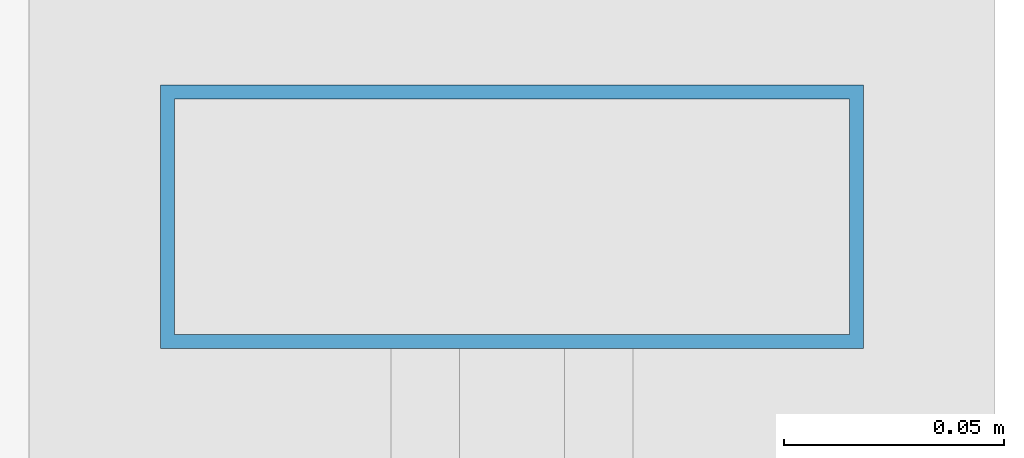
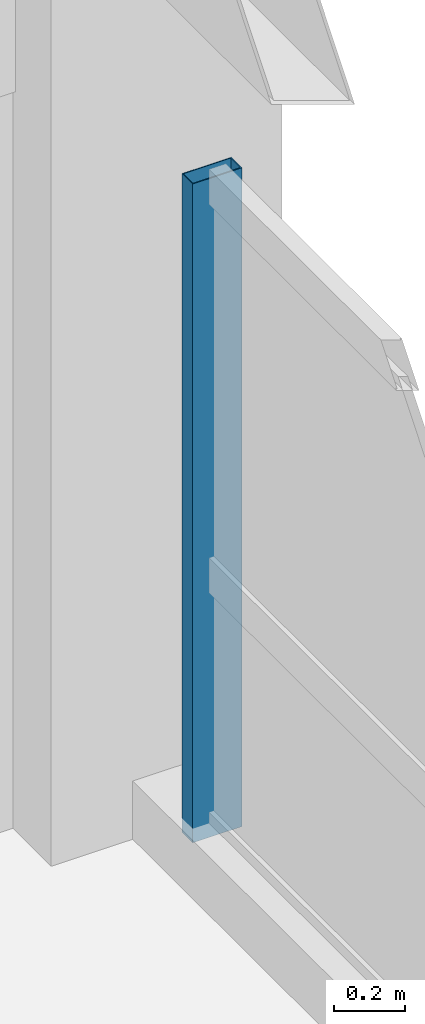
# One storey, part 15 of 21: 1 member, 1 element without a shape of its own.
"""IFC4 building model written with IfcOpenShell, lengths in metres."""

from ifc_helpers import new_model, si_unit, direction, frame, origin, origin_2d, place, context, subcontext, project, spatial, hollow_rectangle, extrude, material, material_profile, profile_set, type_object, element, aggregate, save


model = new_model("IFC4")

# Units and contexts
model_context = context("Model", 3, precision=1e-05, world=origin(), true_north=direction((0.0, 1.0)))
body_context = subcontext(model_context, "Body", "Model", "MODEL_VIEW")
ifc_project = project(units=[si_unit("LENGTHUNIT", "METRE"), si_unit("AREAUNIT", "SQUARE_METRE"), si_unit("VOLUMEUNIT", "CUBIC_METRE"), si_unit("PLANEANGLEUNIT", "RADIAN"), si_unit("MASSUNIT", "GRAM", prefix="KILO")], contexts=[model_context])

# Site, building, storey
site_placement = place(None, origin())
site = spatial("IfcSite", under=ifc_project, at=site_placement, CompositionType="ELEMENT")
building_placement = place(site_placement, origin())
building = spatial("IfcBuilding", under=site, at=building_placement, Name="Kaldorvane Square Convention Centre", CompositionType="ELEMENT")
storey_placement = place(building_placement, frame((0.0, 0.0, 49.19999694824219)))
storey = spatial("IfcBuildingStorey", under=building, at=storey_placement, Name="L11", CompositionType="ELEMENT", Elevation=49.19999694824219)

# Curtain wall, member
ifc_material = material(Name="Anodized Aluminum and Low-E Insulated Glazing", Category="aluminium")
curtain_wall_type = type_object("IfcCurtainWallType", Name="CW-UNI-HTL-A", PredefinedType="USERDEFINED", material=ifc_material)
curtain_wall_placement = place(storey_placement, origin())
curtain_wall = element("IfcCurtainWall", 1, at=curtain_wall_placement, inside=storey, type_object=curtain_wall_type, Name="Curtain Wall CW-10 (L11)", ObjectType="UNITISED GLAZING", PredefinedType="USERDEFINED")
ifc_material_profile = material_profile(ifc_material, hollow_rectangle(XDim=0.05999755859375, YDim=0.160003662109375, WallThickness=0.003204345703125, at=origin_2d()), Name="CWM-160X60")
ifc_profile_set = profile_set([ifc_material_profile], Name="Anodized Aluminum and Low-E Insulated Glazing")
member_type = type_object("IfcMemberType", Name="CW-MUL-160", PredefinedType="MULLION", material=ifc_profile_set)
member_placement = place(storey_placement, frame((84.0, 116.3699951171875, 0.1500091552734375), z_axis=(0.0, 0.0, 1.0), x_axis=(0.0, 1.0, 0.0)))
member = element("IfcMember", 2, at=member_placement, type_object=member_type, Name="CW-10 mullion 4", PredefinedType="MULLION", context=body_context, shape_type="SweptSolid", body=[
    extrude(hollow_rectangle(XDim=0.05999755859375, YDim=0.160003662109375, WallThickness=0.003204345703125, at=origin_2d()), origin(), (0.0, 0.0, 1.0), 2.2599945068359375),
])
aggregate(curtain_wall, [member])

save(model, "model.ifc")
